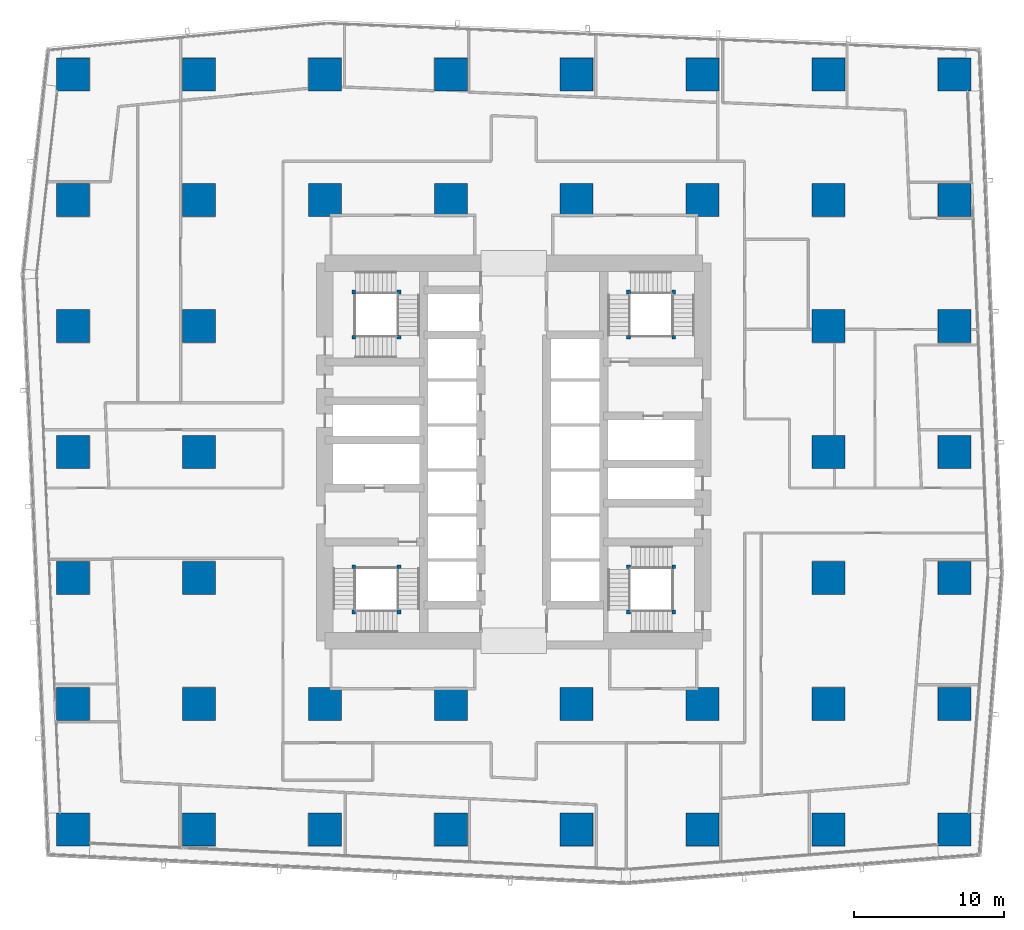
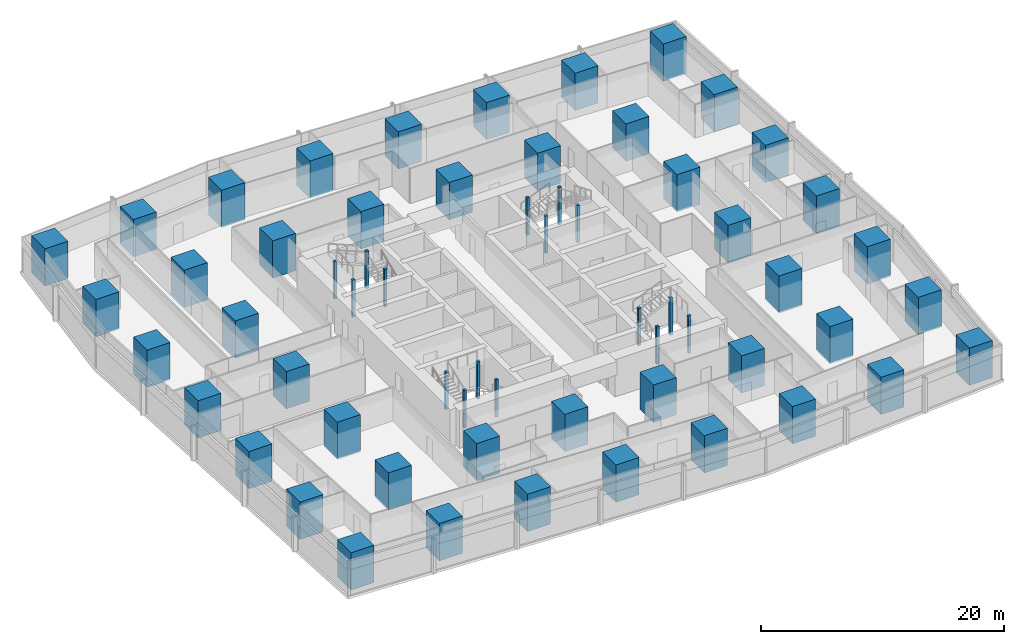
# One storey, part 1 of 45: 60 columns.
"""IFC4 building model written with IfcOpenShell, lengths in metres."""

from ifc_helpers import new_model, si_unit, direction, frame, origin, origin_2d, place, context, subcontext, project, spatial, rectangle, extrude, material, material_profile, profile_set, type_object, element, save


model = new_model("IFC4")

# Units and contexts
model_context = context("Model", 3, precision=1e-05, world=origin(), true_north=direction((0.0, 1.0)))
body_context = subcontext(model_context, "Body", "Model", "MODEL_VIEW")
ifc_project = project(units=[si_unit("LENGTHUNIT", "METRE"), si_unit("AREAUNIT", "SQUARE_METRE"), si_unit("VOLUMEUNIT", "CUBIC_METRE"), si_unit("PLANEANGLEUNIT", "RADIAN"), si_unit("MASSUNIT", "GRAM", prefix="KILO")], contexts=[model_context])

# Site, building, storey
site_placement = place(None, origin())
site = spatial("IfcSite", under=ifc_project, at=site_placement, CompositionType="ELEMENT")
building_placement = place(site_placement, origin())
building = spatial("IfcBuilding", under=site, at=building_placement, Name="Rekha Terrace Tower", CompositionType="ELEMENT")
storey_placement = place(building_placement, frame((0.0, 0.0, 44.14990234375)))
storey = spatial("IfcBuildingStorey", under=building, at=storey_placement, Name="L10", CompositionType="ELEMENT", Elevation=44.14990234375)

# Columns
ifc_material_1 = material(Name="Concrete M70", Category="concrete")
ifc_material_profile_1 = material_profile(ifc_material_1, rectangle(XDim=2.199951171875, YDim=2.199951171875, at=origin_2d()), Name="RC 2200x2200")
ifc_profile_set_1 = profile_set([ifc_material_profile_1], Name="Concrete M70")
column_type_1 = type_object("IfcColumnType", Name="C2 2200x2200 column", PredefinedType="COLUMN", material=ifc_profile_set_1)
for number, where, z_axis, x_axis, name in (
    (1, (8.39990234375, 8.39990234375, 0.0), (0.0, 0.0, 1.0), (1.0, 0.0, 0.0), "Column C2 2/B L10"),
    (2, (8.39990234375, 16.800048828125, 0.0), (0.0, 0.0, 1.0), (1.0, 0.0, 0.0), "Column C2 2/C L10"),
    (3, (8.39990234375, 25.199951171875, 0.0), (0.0, 0.0, 1.0), (1.0, 0.0, 0.0), "Column C2 2/D L10"),
    (4, (8.39990234375, 33.60009765625, 0.0), (0.0, 0.0, 1.0), (1.0, 0.0, 0.0), "Column C2 2/E L10"),
    (5, (8.39990234375, 42.0, 0.0), (0.0, 0.0, 1.0), (1.0, 0.0, 0.0), "Column C2 2/F L10"),
    (6, (8.39990234375, 50.39990234375, 0.0), (0.0, 0.0, 1.0), (1.0, 0.0, 0.0), "Column C2 2/G L10"),
    (7, (8.39990234375, 58.800048828125, 0.0), (0.0, 0.0, 1.0), (1.0, 0.0, 0.0), "Column C2 2/H L10"),
    (8, (16.800048828125, 8.39990234375, 0.0), (0.0, 0.0, 1.0), (1.0, 0.0, 0.0), "Column C2 3/B L10"),
    (9, (16.800048828125, 16.800048828125, 0.0), (0.0, 0.0, 1.0), (1.0, 0.0, 0.0), "Column C2 3/C L10"),
    (10, (16.800048828125, 25.199951171875, 0.0), (0.0, 0.0, 1.0), (1.0, 0.0, 0.0), "Column C2 3/D L10"),
    (11, (16.800048828125, 33.60009765625, 0.0), (0.0, 0.0, 1.0), (1.0, 0.0, 0.0), "Column C2 3/E L10"),
    (12, (16.800048828125, 42.0, 0.0), (0.0, 0.0, 1.0), (1.0, 0.0, 0.0), "Column C2 3/F L10"),
    (13, (16.800048828125, 50.39990234375, 0.0), (0.0, 0.0, 1.0), (1.0, 0.0, 0.0), "Column C2 3/G L10"),
    (14, (16.800048828125, 58.800048828125, 0.0), (0.0, 0.0, 1.0), (1.0, 0.0, 0.0), "Column C2 3/H L10"),
    (15, (25.199951171875, 8.39990234375, 0.0), (0.0, 0.0, 1.0), (1.0, 0.0, 0.0), "Column C2 4/B L10"),
    (16, (25.199951171875, 16.800048828125, 0.0), (0.0, 0.0, 1.0), (1.0, 0.0, 0.0), "Column C2 4/C L10"),
    (17, (25.199951171875, 50.39990234375, 0.0), (0.0, 0.0, 1.0), (1.0, 0.0, 0.0), "Column C2 4/G L10"),
    (18, (25.199951171875, 58.800048828125, 0.0), (0.0, 0.0, 1.0), (1.0, 0.0, 0.0), "Column C2 4/H L10"),
    (19, (33.60009765625, 8.39990234375, 0.0), (0.0, 0.0, 1.0), (1.0, 0.0, 0.0), "Column C2 5/B L10"),
    (20, (33.60009765625, 16.800048828125, 0.0), (0.0, 0.0, 1.0), (1.0, 0.0, 0.0), "Column C2 5/C L10"),
    (21, (33.60009765625, 50.39990234375, 0.0), (0.0, 0.0, 1.0), (1.0, 0.0, 0.0), "Column C2 5/G L10"),
    (22, (33.60009765625, 58.800048828125, 0.0), (0.0, 0.0, 1.0), (1.0, 0.0, 0.0), "Column C2 5/H L10"),
    (23, (42.0, 8.39990234375, 0.0), (0.0, 0.0, 1.0), (1.0, 0.0, 0.0), "Column C2 6/B L10"),
    (24, (42.0, 16.800048828125, 0.0), (0.0, 0.0, 1.0), (1.0, 0.0, 0.0), "Column C2 6/C L10"),
    (25, (42.0, 50.39990234375, 0.0), (0.0, 0.0, 1.0), (1.0, 0.0, 0.0), "Column C2 6/G L10"),
    (26, (42.0, 58.800048828125, 0.0), (0.0, 0.0, 1.0), (1.0, 0.0, 0.0), "Column C2 6/H L10"),
    (27, (50.39990234375, 8.39990234375, 0.0), (0.0, 0.0, 1.0), (1.0, 0.0, 0.0), "Column C2 7/B L10"),
    (28, (50.39990234375, 16.800048828125, 0.0), (0.0, 0.0, 1.0), (1.0, 0.0, 0.0), "Column C2 7/C L10"),
    (29, (50.39990234375, 50.39990234375, 0.0), (0.0, 0.0, 1.0), (1.0, 0.0, 0.0), "Column C2 7/G L10"),
    (30, (50.39990234375, 58.800048828125, 0.0), (0.0, 0.0, 1.0), (1.0, 0.0, 0.0), "Column C2 7/H L10"),
    (31, (58.800048828125, 8.39990234375, 0.0), (0.0, 0.0, 1.0), (1.0, 0.0, 0.0), "Column C2 8/B L10"),
    (32, (58.800048828125, 16.800048828125, 0.0), (0.0, 0.0, 1.0), (1.0, 0.0, 0.0), "Column C2 8/C L10"),
    (33, (58.800048828125, 25.199951171875, 0.0), (0.0, 0.0, 1.0), (1.0, 0.0, 0.0), "Column C2 8/D L10"),
    (34, (58.800048828125, 33.60009765625, 0.0), (0.0, 0.0, 1.0), (1.0, 0.0, 0.0), "Column C2 8/E L10"),
    (35, (58.800048828125, 42.0, 0.0), (0.0, 0.0, 1.0), (1.0, 0.0, 0.0), "Column C2 8/F L10"),
    (36, (58.800048828125, 50.39990234375, 0.0), (0.0, 0.0, 1.0), (1.0, 0.0, 0.0), "Column C2 8/G L10"),
    (37, (58.800048828125, 58.800048828125, 0.0), (0.0, 0.0, 1.0), (1.0, 0.0, 0.0), "Column C2 8/H L10"),
    (38, (67.199951171875, 8.39990234375, 0.0), (0.0, 0.0, 1.0), (1.0, 0.0, 0.0), "Column C2 9/B L10"),
    (39, (67.199951171875, 16.800048828125, 0.0), (0.0, 0.0, 1.0), (1.0, 0.0, 0.0), "Column C2 9/C L10"),
    (40, (67.199951171875, 25.199951171875, 0.0), (0.0, 0.0, 1.0), (1.0, 0.0, 0.0), "Column C2 9/D L10"),
    (41, (67.199951171875, 33.60009765625, 0.0), (0.0, 0.0, 1.0), (1.0, 0.0, 0.0), "Column C2 9/E L10"),
    (42, (67.199951171875, 42.0, 0.0), (0.0, 0.0, 1.0), (1.0, 0.0, 0.0), "Column C2 9/F L10"),
    (43, (67.199951171875, 50.39990234375, 0.0), (0.0, 0.0, 1.0), (1.0, 0.0, 0.0), "Column C2 9/G L10"),
    (44, (67.199951171875, 58.800048828125, 0.0), (0.0, 0.0, 1.0), (1.0, 0.0, 0.0), "Column C2 9/H L10"),
):
    element("IfcColumn", number, at=place(storey_placement, frame(where, z_axis=z_axis, x_axis=x_axis)), inside=storey, type_object=column_type_1, Name=name, PredefinedType="COLUMN", context=body_context, shape_type="SweptSolid", body=[
        extrude(rectangle(XDim=2.199951171875, YDim=2.199951171875, at=origin_2d()), origin(), (0.0, 0.0, 1.0), 3.75),
    ])
ifc_material_2 = material(Name="Concrete M60", Category="concrete")
ifc_material_profile_2 = material_profile(ifc_material_2, rectangle(XDim=0.25, YDim=0.25, at=origin_2d()), Name="RC 250x250")
ifc_profile_set_2 = profile_set([ifc_material_profile_2], Name="Concrete M60")
column_type_2 = type_object("IfcColumnType", Name="NP1 250x250 stair newel post", PredefinedType="COLUMN", material=ifc_profile_set_2)
for number, where, z_axis, x_axis, name in (
    (45, (30.14990234375, 25.949951171875, 0.0), (0.0, 0.0, 1.0), (1.0, 0.0, 0.0), "Stair newel post NP1"),
    (46, (30.14990234375, 22.925048828125, 0.0), (0.0, 0.0, 1.0), (1.0, 0.0, 0.0), "Stair newel post NP1"),
    (47, (27.125, 22.925048828125, 0.0), (0.0, 0.0, 1.0), (1.0, 0.0, 0.0), "Stair newel post NP1"),
    (48, (27.125, 25.949951171875, 0.0), (0.0, 0.0, 1.0), (1.0, 0.0, 0.0), "Stair newel post NP1"),
    (49, (45.449951171875, 41.25, 0.0), (0.0, 0.0, 1.0), (1.0, 0.0, 0.0), "Stair newel post NP1"),
    (50, (45.449951171875, 44.27490234375, 0.0), (0.0, 0.0, 1.0), (1.0, 0.0, 0.0), "Stair newel post NP1"),
    (51, (48.47509765625, 44.27490234375, 0.0), (0.0, 0.0, 1.0), (1.0, 0.0, 0.0), "Stair newel post NP1"),
    (52, (48.47509765625, 41.25, 0.0), (0.0, 0.0, 1.0), (1.0, 0.0, 0.0), "Stair newel post NP1"),
    (53, (48.47509765625, 22.925048828125, 0.0), (0.0, 0.0, 1.0), (1.0, 0.0, 0.0), "Stair newel post NP1"),
    (54, (45.449951171875, 22.925048828125, 0.0), (0.0, 0.0, 1.0), (1.0, 0.0, 0.0), "Stair newel post NP1"),
    (55, (45.449951171875, 25.949951171875, 0.0), (0.0, 0.0, 1.0), (1.0, 0.0, 0.0), "Stair newel post NP1"),
    (56, (48.47509765625, 25.949951171875, 0.0), (0.0, 0.0, 1.0), (1.0, 0.0, 0.0), "Stair newel post NP1"),
    (57, (27.125, 41.25, 0.0), (0.0, 0.0, 1.0), (1.0, 0.0, 0.0), "Stair newel post NP1"),
    (58, (30.14990234375, 41.25, 0.0), (0.0, 0.0, 1.0), (1.0, 0.0, 0.0), "Stair newel post NP1"),
    (59, (30.14990234375, 44.27490234375, 0.0), (0.0, 0.0, 1.0), (1.0, 0.0, 0.0), "Stair newel post NP1"),
    (60, (27.125, 44.27490234375, 0.0), (0.0, 0.0, 1.0), (1.0, 0.0, 0.0), "Stair newel post NP1"),
):
    element("IfcColumn", number, at=place(storey_placement, frame(where, z_axis=z_axis, x_axis=x_axis)), inside=storey, type_object=column_type_2, Name=name, PredefinedType="COLUMN", context=body_context, shape_type="SweptSolid", body=[
        extrude(rectangle(XDim=0.25, YDim=0.25, at=origin_2d()), origin(), (0.0, 0.0, 1.0), 3.75),
    ])

save(model, "model.ifc")
